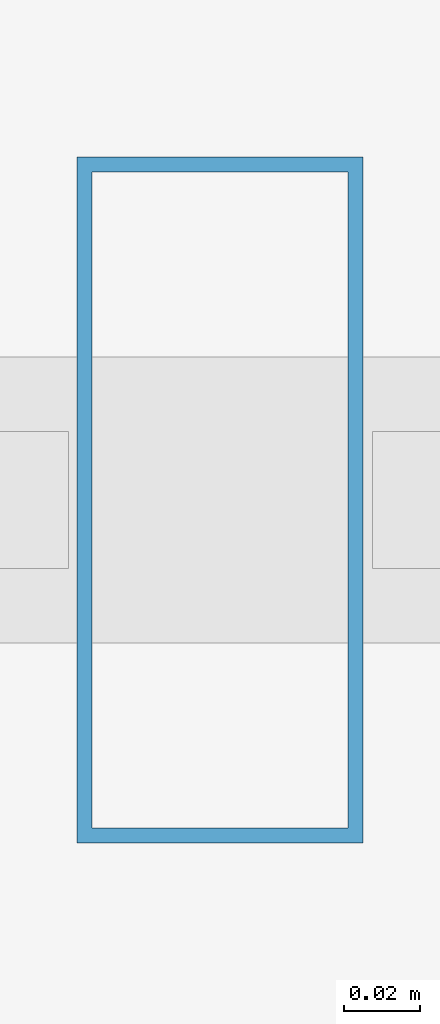
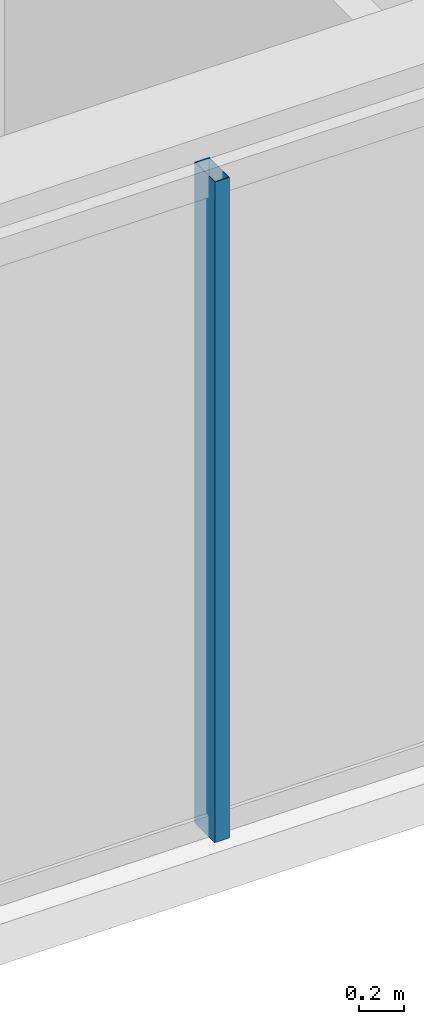
# One storey, part 4 of 32: 1 member, 1 element without a shape of its own.
"""IFC4 building model written with IfcOpenShell, lengths in metres."""

from ifc_helpers import new_model, si_unit, direction, frame, origin, origin_2d, place, context, subcontext, project, spatial, hollow_rectangle, extrude, material, layer, layer_set, material_profile, profile_set, type_object, element, aggregate, save


model = new_model("IFC4")

# Units and contexts
model_context = context("Model", 3, precision=1e-05, world=origin(), true_north=direction((0.0, 1.0)))
body_context = subcontext(model_context, "Body", "Model", "MODEL_VIEW")
ifc_project = project(units=[si_unit("LENGTHUNIT", "METRE"), si_unit("AREAUNIT", "SQUARE_METRE"), si_unit("VOLUMEUNIT", "CUBIC_METRE"), si_unit("PLANEANGLEUNIT", "RADIAN"), si_unit("MASSUNIT", "GRAM", prefix="KILO")], contexts=[model_context])

# Site, building, storey
site_placement = place(None, origin())
site = spatial("IfcSite", under=ifc_project, at=site_placement, CompositionType="ELEMENT")
building_placement = place(site_placement, origin())
building = spatial("IfcBuilding", under=site, at=building_placement, Name="Ndaravel Arena Tower", CompositionType="ELEMENT")
storey_placement = place(building_placement, frame((0.0, 0.0, 130.800048828125)))
storey = spatial("IfcBuildingStorey", under=building, at=storey_placement, Name="L30", CompositionType="ELEMENT", Elevation=130.800048828125)

# Curtain wall, member
ifc_material_1 = material(Name="Aluminium", Category="aluminium")
ifc_layer = layer(ifc_material_1, 0.179931640625)
ifc_layer_set = layer_set([ifc_layer], Name="Aluminium")
curtain_wall_type = type_object("IfcCurtainWallType", Name="CW-SYS-03", PredefinedType="NOTDEFINED", material=ifc_layer_set)
curtain_wall_placement = place(storey_placement, origin())
curtain_wall = element("IfcCurtainWall", 1, at=curtain_wall_placement, inside=storey, type_object=curtain_wall_type, Name="L30 Faceted Crystal Curtain Wall CW-L30-E01", PredefinedType="NOTDEFINED")
ifc_material_2 = material(Name="Aluminium", Category="aluminium")
ifc_material_profile = material_profile(ifc_material_2, hollow_rectangle(XDim=0.074951171875, YDim=0.179931640625, WallThickness=0.00390625, at=origin_2d()), Name="CW MULLION 75x180x4")
ifc_profile_set = profile_set([ifc_material_profile], Name="Aluminium")
member_type = type_object("IfcMemberType", Name="MEM-CW-MUL180", PredefinedType="MULLION", material=ifc_profile_set)
member_placement = place(storey_placement, frame((33.277587890625, 5.159912109375, 0.0), z_axis=(0.0, 0.0, 1.0), x_axis=(1.0, 0.0, 0.0)))
member = element("IfcMember", 2, at=member_placement, type_object=member_type, Name="CW-L30-E01 Mullion 02", PredefinedType="MULLION", context=body_context, shape_type="SweptSolid", body=[
    extrude(hollow_rectangle(XDim=0.074951171875, YDim=0.179931640625, WallThickness=0.00390625, at=origin_2d()), origin(), (0.0, 0.0, 1.0), 3.579833984375),
])
aggregate(curtain_wall, [member])

save(model, "model.ifc")
